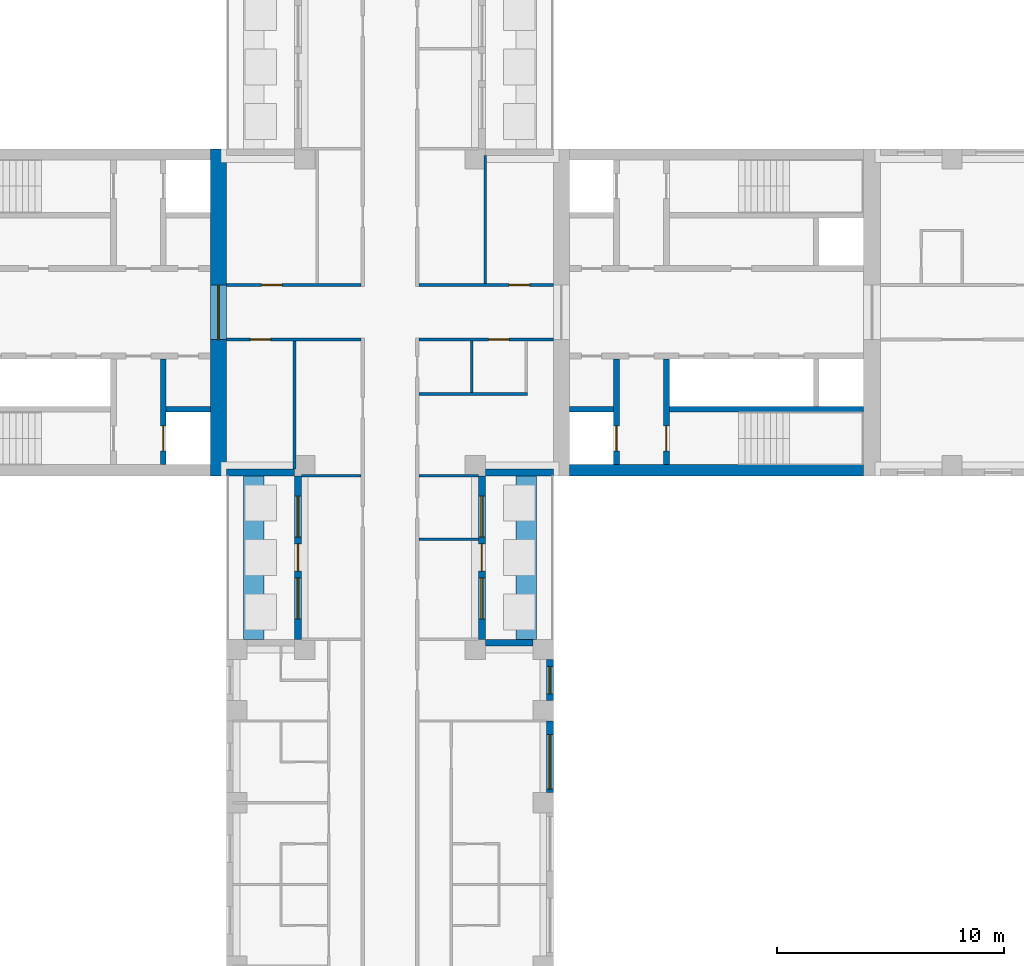
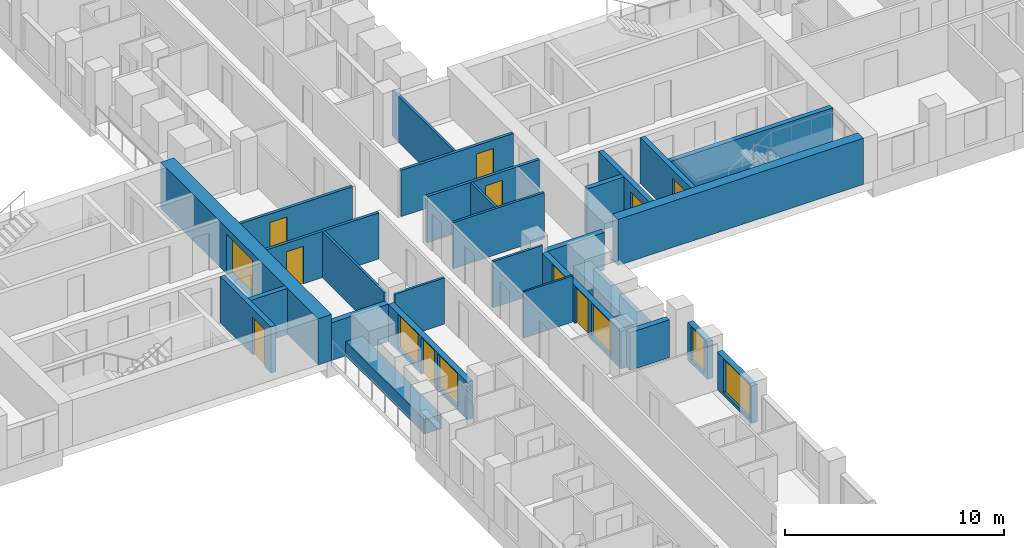
# One storey, part 7 of 15: 28 walls, 10 doors, 6 windows, 16 openings.
"""IFC4 building model written with IfcOpenShell, lengths in metres."""

from ifc_helpers import new_model, si_unit, direction, frame, frame_2d, origin, place, context, subcontext, project, spatial, rectangle, extrude, material, layer, layer_set, type_object, element, fill, save


model = new_model("IFC4")

# Units and contexts
model_context = context("Model", 3, precision=1e-05, world=origin(), true_north=direction((0.0, 1.0)))
body_context = subcontext(model_context, "Body", "Model", "MODEL_VIEW")
ifc_project = project(units=[si_unit("LENGTHUNIT", "METRE"), si_unit("AREAUNIT", "SQUARE_METRE"), si_unit("VOLUMEUNIT", "CUBIC_METRE"), si_unit("PLANEANGLEUNIT", "RADIAN"), si_unit("MASSUNIT", "GRAM", prefix="KILO")], contexts=[model_context])

# Site, building, storey
site_placement = place(None, origin())
site = spatial("IfcSite", under=ifc_project, at=site_placement, CompositionType="ELEMENT")
building_placement = place(site_placement, origin())
building = spatial("IfcBuilding", under=site, at=building_placement, Name="Fustian Cross Tower", CompositionType="ELEMENT")
storey_placement = place(building_placement, frame((0.0, 0.0, 11.699951171875)))
storey = spatial("IfcBuildingStorey", under=building, at=storey_placement, Name="L02", CompositionType="ELEMENT", Elevation=11.699951171875)

# Wall, opening, door
ifc_material_1 = material(Name="Plasterboard on steel stud", Category="steel")
ifc_layer_1 = layer(ifc_material_1, 0.14990234375)
ifc_layer_set_1 = layer_set([ifc_layer_1], Name="Plasterboard on steel stud")
wall_type_1 = type_object("IfcWallType", Name="COMPARTMENT WALL 150 EI 60", PredefinedType="PARTITIONING", material=ifc_layer_set_1)
wall_1_placement = place(storey_placement, frame((-7.199951171875, -1.199951171875, 0.0), z_axis=(0.0, 0.0, 1.0), x_axis=(1.0, 0.0, 0.0)))
wall_1 = element("IfcWall", 1, at=wall_1_placement, inside=storey, type_object=wall_type_1, Name="Partition 8", PredefinedType="PARTITIONING", context=body_context, shape_type="SweptSolid", body=[
    extrude(rectangle(XDim=5.925048828125, YDim=0.14990234375, at=frame_2d((2.96240234375, 0.0))), origin(), (0.0, 0.0, 1.0), 2.574951171875),
])
opening_1_placement = place(wall_1_placement, frame((1.050048828125, 0.0, 0.0)))
opening_1 = element("IfcOpeningElement", 2, at=opening_1_placement, cuts=wall_1, Name="Opening D04009", PredefinedType="OPENING", context=body_context, shape_type="SweptSolid", body=[
    extrude(rectangle(XDim=0.89990234375, YDim=2.10009765625, at=frame_2d((0.449951171875, 1.050048828125))), frame((0.0, 0.0849609375, 0.0), z_axis=(0.0, -1.0, 0.0), x_axis=(1.0, 0.0, 0.0)), (0.0, 0.0, 1.0), 0.169921875),
])
ifc_material_2 = material(Name="Timber fire door set", Category="wood")
door_type_1 = type_object("IfcDoorType", Name="FIRE SWING DOOR 900 FD30S", OperationType="SINGLE_SWING_LEFT", PredefinedType="DOOR", material=ifc_material_2)
door_1_placement = place(opening_1_placement, frame((0.89990234375, 0.0, 0.0), z_axis=(0.0, 0.0, 1.0), x_axis=(-1.0, 0.0, 0.0)))
door_1 = element("IfcDoor", 3, at=door_1_placement, inside=storey, type_object=door_type_1, Name="Door D04009", OperationType="SINGLE_SWING_LEFT", OverallHeight=2.10009765625, OverallWidth=0.89990234375, PredefinedType="DOOR", context=body_context, shape_type="SweptSolid", body=[
    extrude(rectangle(XDim=0.89990234375, YDim=2.10009765625, at=frame_2d((0.449951171875, 1.050048828125))), frame((0.0, 0.02490234375, 0.0), z_axis=(0.0, -1.0, 0.0), x_axis=(1.0, 0.0, 0.0)), (0.0, 0.0, 1.0), 0.050048828125),
])
fill(opening_1, door_1)

wall_2_placement = place(storey_placement, frame((-7.199951171875, 1.199951171875, 0.0), z_axis=(0.0, 0.0, 1.0), x_axis=(1.0, 0.0, 0.0)))
wall_2 = element("IfcWall", 4, at=wall_2_placement, inside=storey, type_object=wall_type_1, Name="Partition 9", PredefinedType="PARTITIONING", context=body_context, shape_type="SweptSolid", body=[
    extrude(rectangle(XDim=5.925048828125, YDim=0.14990234375, at=frame_2d((2.96240234375, 0.0))), origin(), (0.0, 0.0, 1.0), 2.574951171875),
])
opening_2_placement = place(wall_2_placement, frame((1.550048828125, 0.0, 0.0)))
opening_2 = element("IfcOpeningElement", 5, at=opening_2_placement, cuts=wall_2, Name="Opening D04004", PredefinedType="OPENING", context=body_context, shape_type="SweptSolid", body=[
    extrude(rectangle(XDim=0.89990234375, YDim=2.10009765625, at=frame_2d((0.449951171875, 1.050048828125))), frame((0.0, 0.0849609375, 0.0), z_axis=(0.0, -1.0, 0.0), x_axis=(1.0, 0.0, 0.0)), (0.0, 0.0, 1.0), 0.169921875),
])
door_2_placement = place(opening_2_placement, origin())
door_2 = element("IfcDoor", 6, at=door_2_placement, inside=storey, type_object=door_type_1, Name="Door D04004", OperationType="SINGLE_SWING_LEFT", OverallHeight=2.10009765625, OverallWidth=0.89990234375, PredefinedType="DOOR", context=body_context, shape_type="SweptSolid", body=[
    extrude(rectangle(XDim=0.89990234375, YDim=2.10009765625, at=frame_2d((0.449951171875, 1.050048828125))), frame((0.0, 0.02490234375, 0.0), z_axis=(0.0, -1.0, 0.0), x_axis=(1.0, 0.0, 0.0)), (0.0, 0.0, 1.0), 0.050048828125),
])
fill(opening_2, door_2)

wall_3_placement = place(storey_placement, frame((1.27490234375, -1.199951171875, 0.0), z_axis=(0.0, 0.0, 1.0), x_axis=(1.0, 0.0, 0.0)))
wall_3 = element("IfcWall", 7, at=wall_3_placement, inside=storey, type_object=wall_type_1, Name="Partition 63", PredefinedType="PARTITIONING", context=body_context, shape_type="SweptSolid", body=[
    extrude(rectangle(XDim=5.925048828125, YDim=0.14990234375, at=frame_2d((2.96240234375, 0.0))), origin(), (0.0, 0.0, 1.0), 2.574951171875),
])
opening_3_placement = place(wall_3_placement, frame((3.074951171875, 0.0, 0.0)))
opening_3 = element("IfcOpeningElement", 8, at=opening_3_placement, cuts=wall_3, Name="Opening D04006", PredefinedType="OPENING", context=body_context, shape_type="SweptSolid", body=[
    extrude(rectangle(XDim=0.89990234375, YDim=2.10009765625, at=frame_2d((0.449951171875, 1.050048828125))), frame((0.0, 0.0849609375, 0.0), z_axis=(0.0, -1.0, 0.0), x_axis=(1.0, 0.0, 0.0)), (0.0, 0.0, 1.0), 0.169921875),
])
door_3_placement = place(opening_3_placement, frame((0.89990234375, 0.0, 0.0), z_axis=(0.0, 0.0, 1.0), x_axis=(-1.0, 0.0, 0.0)))
door_3 = element("IfcDoor", 9, at=door_3_placement, inside=storey, type_object=door_type_1, Name="Door D04006", OperationType="SINGLE_SWING_RIGHT", OverallHeight=2.10009765625, OverallWidth=0.89990234375, PredefinedType="DOOR", context=body_context, shape_type="SweptSolid", body=[
    extrude(rectangle(XDim=0.89990234375, YDim=2.10009765625, at=frame_2d((0.449951171875, 1.050048828125))), frame((0.0, 0.02490234375, 0.0), z_axis=(0.0, -1.0, 0.0), x_axis=(1.0, 0.0, 0.0)), (0.0, 0.0, 1.0), 0.050048828125),
])
fill(opening_3, door_3)

wall_4_placement = place(storey_placement, frame((1.27490234375, 1.199951171875, 0.0), z_axis=(0.0, 0.0, 1.0), x_axis=(1.0, 0.0, 0.0)))
wall_4 = element("IfcWall", 10, at=wall_4_placement, inside=storey, type_object=wall_type_1, Name="Partition 65", PredefinedType="PARTITIONING", context=body_context, shape_type="SweptSolid", body=[
    extrude(rectangle(XDim=5.925048828125, YDim=0.14990234375, at=frame_2d((2.96240234375, 0.0))), origin(), (0.0, 0.0, 1.0), 2.574951171875),
])
opening_4_placement = place(wall_4_placement, frame((3.97509765625, 0.0, 0.0)))
opening_4 = element("IfcOpeningElement", 11, at=opening_4_placement, cuts=wall_4, Name="Opening D04002", PredefinedType="OPENING", context=body_context, shape_type="SweptSolid", body=[
    extrude(rectangle(XDim=0.89990234375, YDim=2.10009765625, at=frame_2d((0.449951171875, 1.050048828125))), frame((0.0, 0.0849609375, 0.0), z_axis=(0.0, -1.0, 0.0), x_axis=(1.0, 0.0, 0.0)), (0.0, 0.0, 1.0), 0.169921875),
])
door_4_placement = place(opening_4_placement, origin())
door_4 = element("IfcDoor", 12, at=door_4_placement, inside=storey, type_object=door_type_1, Name="Door D04002", OperationType="SINGLE_SWING_RIGHT", OverallHeight=2.10009765625, OverallWidth=0.89990234375, PredefinedType="DOOR", context=body_context, shape_type="SweptSolid", body=[
    extrude(rectangle(XDim=0.89990234375, YDim=2.10009765625, at=frame_2d((0.449951171875, 1.050048828125))), frame((0.0, 0.02490234375, 0.0), z_axis=(0.0, -1.0, 0.0), x_axis=(1.0, 0.0, 0.0)), (0.0, 0.0, 1.0), 0.050048828125),
])
fill(opening_4, door_4)

ifc_material_3 = material(Name="Concrete C80/95", Category="concrete")
ifc_layer_2 = layer(ifc_material_3, 0.699951171875)
ifc_layer_set_2 = layer_set([ifc_layer_2], Name="Concrete C80/95")
wall_type_2 = type_object("IfcWallType", Name="CORE END WALL 700 C80/95", PredefinedType="SHEAR", material=ifc_layer_set_2)
wall_5_placement = place(storey_placement, frame((-7.550048828125, -7.199951171875, 0.0), z_axis=(0.0, 0.0, 1.0), x_axis=(0.0, 1.0, 0.0)))
wall_5 = element("IfcWall", 13, at=wall_5_placement, inside=storey, type_object=wall_type_2, Name="Core end wall", PredefinedType="SHEAR", context=body_context, shape_type="SweptSolid", body=[
    extrude(rectangle(XDim=14.39990234375, YDim=0.699951171875, at=frame_2d((7.199951171875, 0.0))), origin(), (0.0, 0.0, 1.0), 2.574951171875),
])
opening_5_placement = place(wall_5_placement, frame((6.0, 0.0, 0.0)))
opening_5 = element("IfcOpeningElement", 14, at=opening_5_placement, cuts=wall_5, Name="Opening CD-04-26", PredefinedType="OPENING", context=body_context, shape_type="SweptSolid", body=[
    extrude(rectangle(XDim=2.39990234375, YDim=2.199951171875, at=frame_2d((1.199951171875, 1.10009765625))), frame((0.0, 0.35986328125, 0.0), z_axis=(0.0, -1.0, 0.0), x_axis=(1.0, 0.0, 0.0)), (0.0, 0.0, 1.0), 0.719970703125),
])
ifc_material_4 = material(Name="Steel", Category="steel")
door_type_2 = type_object("IfcDoorType", Name="FIRE DOOR FD30S DOUBLE 2400X2200", OperationType="DOUBLE_DOOR_DOUBLE_SWING", PredefinedType="DOOR", material=ifc_material_4)
door_5_placement = place(opening_5_placement, origin())
door_5 = element("IfcDoor", 15, at=door_5_placement, inside=storey, type_object=door_type_2, Name="Core door CD-04-26", OperationType="DOUBLE_DOOR_DOUBLE_SWING", OverallHeight=2.199951171875, OverallWidth=2.39990234375, PredefinedType="DOOR", context=body_context, shape_type="SweptSolid", body=[
    extrude(rectangle(XDim=2.39990234375, YDim=2.199951171875, at=frame_2d((1.199951171875, 1.10009765625))), frame((0.0, 0.02490234375, 0.0), z_axis=(0.0, -1.0, 0.0), x_axis=(1.0, 0.0, 0.0)), (0.0, 0.0, 1.0), 0.050048828125),
])
fill(opening_5, door_5)

# Walls
ifc_material_5 = material(Name="Concrete C80/95", Category="concrete")
ifc_layer_3 = layer(ifc_material_5, 0.5)
ifc_layer_set_3 = layer_set([ifc_layer_3], Name="Concrete C80/95")
wall_type_3 = type_object("IfcWallType", Name="CORE FACADE WALL 500 C80/95", PredefinedType="SHEAR", material=ifc_layer_set_3)
wall_6_placement = place(storey_placement, frame((7.89990234375, -6.949951171875, 0.0), z_axis=(0.0, 0.0, 1.0), x_axis=(1.0, 0.0, 0.0)))
element("IfcWall", 16, at=wall_6_placement, inside=storey, type_object=wall_type_3, Name="Core facade wall", PredefinedType="SHEAR", context=body_context, shape_type="SweptSolid", body=[
    extrude(rectangle(XDim=12.9501953125, YDim=0.5, at=frame_2d((6.47509765625, 0.0))), origin(), (0.0, 0.0, 1.0), 2.574951171875),
])
ifc_material_6 = material(Name="Concrete C50/60", Category="concrete")
ifc_layer_4 = layer(ifc_material_6, 0.25)
ifc_layer_set_4 = layer_set([ifc_layer_4], Name="Concrete C50/60")
wall_type_4 = type_object("IfcWallType", Name="CORE SHAFT WALL 250 C50/60", PredefinedType="SHEAR", material=ifc_layer_set_4)
wall_7_placement = place(storey_placement, frame((7.89990234375, -4.27490234375, 0.0), z_axis=(0.0, 0.0, 1.0), x_axis=(1.0, 0.0, 0.0)))
element("IfcWall", 17, at=wall_7_placement, inside=storey, type_object=wall_type_4, Name="Core shaft wall", PredefinedType="SHEAR", context=body_context, shape_type="SweptSolid", body=[
    extrude(rectangle(XDim=1.9501953125, YDim=0.25, at=frame_2d((0.97509765625, 0.0))), origin(), (0.0, 0.0, 1.0), 2.574951171875),
])
wall_8_placement = place(storey_placement, frame((12.300048828125, -4.27490234375, 0.0), z_axis=(0.0, 0.0, 1.0), x_axis=(1.0, 0.0, 0.0)))
element("IfcWall", 18, at=wall_8_placement, inside=storey, type_object=wall_type_4, Name="Core shaft wall", PredefinedType="SHEAR", context=body_context, shape_type="SweptSolid", body=[
    extrude(rectangle(XDim=8.550048828125, YDim=0.25, at=frame_2d((4.27490234375, 0.0))), origin(), (0.0, 0.0, 1.0), 2.574951171875),
])

# Wall, opening, door
wall_9_placement = place(storey_placement, frame((9.97509765625, -2.050048828125, 0.0), z_axis=(0.0, 0.0, 1.0), x_axis=(0.0, -1.0, 0.0)))
wall_9 = element("IfcWall", 19, at=wall_9_placement, inside=storey, type_object=wall_type_4, Name="Core shaft wall", PredefinedType="SHEAR", context=body_context, shape_type="SweptSolid", body=[
    extrude(rectangle(XDim=4.64990234375, YDim=0.25, at=frame_2d((2.324951171875, 0.0))), origin(), (0.0, 0.0, 1.0), 2.574951171875),
])
opening_6_placement = place(wall_9_placement, frame((2.949951171875, 0.0, 0.0)))
opening_6 = element("IfcOpeningElement", 20, at=opening_6_placement, cuts=wall_9, Name="Opening LD", PredefinedType="OPENING", context=body_context, shape_type="SweptSolid", body=[
    extrude(rectangle(XDim=1.10009765625, YDim=2.10009765625, at=frame_2d((0.550048828125, 1.050048828125))), frame((0.0, 0.135009765625, 0.0), z_axis=(0.0, -1.0, 0.0), x_axis=(1.0, 0.0, 0.0)), (0.0, 0.0, 1.0), 0.27001953125),
])
ifc_material_7 = material(Name="Stainless steel", Category="steel")
door_type_3 = type_object("IfcDoorType", Name="LIFT LANDING DOOR 1100X2100", OperationType="SLIDING_TO_LEFT", PredefinedType="DOOR", material=ifc_material_7)
door_6_placement = place(opening_6_placement, origin())
door_6 = element("IfcDoor", 21, at=door_6_placement, inside=storey, type_object=door_type_3, Name="Landing door SV1", OperationType="SLIDING_TO_LEFT", OverallHeight=2.10009765625, OverallWidth=1.10009765625, PredefinedType="DOOR", context=body_context, shape_type="SweptSolid", body=[
    extrude(rectangle(XDim=1.10009765625, YDim=2.10009765625, at=frame_2d((0.550048828125, 1.050048828125))), frame((0.0, 0.02490234375, 0.0), z_axis=(0.0, -1.0, 0.0), x_axis=(1.0, 0.0, 0.0)), (0.0, 0.0, 1.0), 0.050048828125),
])
fill(opening_6, door_6)

wall_10_placement = place(storey_placement, frame((12.175048828125, -2.050048828125, 0.0), z_axis=(0.0, 0.0, 1.0), x_axis=(0.0, -1.0, 0.0)))
wall_10 = element("IfcWall", 22, at=wall_10_placement, inside=storey, type_object=wall_type_4, Name="Core shaft wall", PredefinedType="SHEAR", context=body_context, shape_type="SweptSolid", body=[
    extrude(rectangle(XDim=4.64990234375, YDim=0.25, at=frame_2d((2.324951171875, 0.0))), origin(), (0.0, 0.0, 1.0), 2.574951171875),
])
opening_7_placement = place(wall_10_placement, frame((2.949951171875, 0.0, 0.0)))
opening_7 = element("IfcOpeningElement", 23, at=opening_7_placement, cuts=wall_10, Name="Opening CD-04-07", PredefinedType="OPENING", context=body_context, shape_type="SweptSolid", body=[
    extrude(rectangle(XDim=1.10009765625, YDim=2.10009765625, at=frame_2d((0.550048828125, 1.050048828125))), frame((0.0, 0.135009765625, 0.0), z_axis=(0.0, -1.0, 0.0), x_axis=(1.0, 0.0, 0.0)), (0.0, 0.0, 1.0), 0.27001953125),
])
ifc_material_8 = material(Name="Steel", Category="steel")
door_type_4 = type_object("IfcDoorType", Name="FIRE DOOR FD60S 1100X2100", OperationType="SINGLE_SWING_LEFT", PredefinedType="DOOR", material=ifc_material_8)
door_7_placement = place(opening_7_placement, origin())
door_7 = element("IfcDoor", 24, at=door_7_placement, inside=storey, type_object=door_type_4, Name="Core door CD-04-07", OperationType="SINGLE_SWING_LEFT", OverallHeight=2.10009765625, OverallWidth=1.10009765625, PredefinedType="DOOR", context=body_context, shape_type="SweptSolid", body=[
    extrude(rectangle(XDim=1.10009765625, YDim=2.10009765625, at=frame_2d((0.550048828125, 1.050048828125))), frame((0.0, 0.02490234375, 0.0), z_axis=(0.0, -1.0, 0.0), x_axis=(1.0, 0.0, 0.0)), (0.0, 0.0, 1.0), 0.050048828125),
])
fill(opening_7, door_7)

# Wall
wall_11_placement = place(storey_placement, frame((-7.89990234375, -4.27490234375, 0.0), z_axis=(0.0, 0.0, 1.0), x_axis=(-1.0, 0.0, 0.0)))
element("IfcWall", 25, at=wall_11_placement, inside=storey, type_object=wall_type_4, Name="Core shaft wall", PredefinedType="SHEAR", context=body_context, shape_type="SweptSolid", body=[
    extrude(rectangle(XDim=1.9501953125, YDim=0.25, at=frame_2d((0.97509765625, 0.0))), origin(), (0.0, 0.0, 1.0), 2.574951171875),
])

# Wall, opening, door
wall_12_placement = place(storey_placement, frame((-9.97509765625, -2.050048828125, 0.0), z_axis=(0.0, 0.0, 1.0), x_axis=(0.0, -1.0, 0.0)))
wall_12 = element("IfcWall", 26, at=wall_12_placement, inside=storey, type_object=wall_type_4, Name="Core shaft wall", PredefinedType="SHEAR", context=body_context, shape_type="SweptSolid", body=[
    extrude(rectangle(XDim=4.64990234375, YDim=0.25, at=frame_2d((2.324951171875, 0.0))), origin(), (0.0, 0.0, 1.0), 2.574951171875),
])
opening_8_placement = place(wall_12_placement, frame((2.949951171875, 0.0, 0.0)))
opening_8 = element("IfcOpeningElement", 27, at=opening_8_placement, cuts=wall_12, Name="Opening LD", PredefinedType="OPENING", context=body_context, shape_type="SweptSolid", body=[
    extrude(rectangle(XDim=1.10009765625, YDim=2.10009765625, at=frame_2d((0.550048828125, 1.050048828125))), frame((0.0, 0.135009765625, 0.0), z_axis=(0.0, -1.0, 0.0), x_axis=(1.0, 0.0, 0.0)), (0.0, 0.0, 1.0), 0.27001953125),
])
door_8_placement = place(opening_8_placement, origin())
door_8 = element("IfcDoor", 28, at=door_8_placement, inside=storey, type_object=door_type_3, Name="Landing door SV1W", OperationType="SLIDING_TO_LEFT", OverallHeight=2.10009765625, OverallWidth=1.10009765625, PredefinedType="DOOR", context=body_context, shape_type="SweptSolid", body=[
    extrude(rectangle(XDim=1.10009765625, YDim=2.10009765625, at=frame_2d((0.550048828125, 1.050048828125))), frame((0.0, 0.02490234375, 0.0), z_axis=(0.0, -1.0, 0.0), x_axis=(1.0, 0.0, 0.0)), (0.0, 0.0, 1.0), 0.050048828125),
])
fill(opening_8, door_8)

# Walls
ifc_material_9 = material(Name="Plasterboard on steel stud", Category="steel")
ifc_layer_5 = layer(ifc_material_9, 0.10009765625)
ifc_layer_set_5 = layer_set([ifc_layer_5], Name="Plasterboard on steel stud")
wall_type_5 = type_object("IfcWallType", Name="PARTITION 100 STUD", PredefinedType="PARTITIONING", material=ifc_layer_set_5)
wall_13_placement = place(storey_placement, frame((1.27490234375, -10.0, 0.0), z_axis=(0.0, 0.0, 1.0), x_axis=(1.0, 0.0, 0.0)))
element("IfcWall", 29, at=wall_13_placement, inside=storey, type_object=wall_type_5, Name="Partition 60", PredefinedType="PARTITIONING", context=body_context, shape_type="SweptSolid", body=[
    extrude(rectangle(XDim=2.625, YDim=0.10009765625, at=frame_2d((1.3125, 0.0))), origin(), (0.0, 0.0, 1.0), 2.574951171875),
])
ifc_material_10 = material(Name="Concrete C40/50", Category="concrete")
ifc_layer_6 = layer(ifc_material_10, 0.89990234375)
ifc_layer_set_6 = layer_set([ifc_layer_6], Name="Concrete C40/50")
wall_type_6 = type_object("IfcWallType", Name="PK1 PLANTER 900", PredefinedType="PARAPET", material=ifc_layer_set_6)
for number, where, z_axis, x_axis, name in (
    (30, (6.0, -14.39990234375, 0.0), (0.0, 0.0, 1.0), (0.0, 1.0, 0.0), "PLANTER"),
    (31, (-6.0, -14.39990234375, 0.0), (0.0, 0.0, 1.0), (0.0, 1.0, 0.0), "PLANTER"),
):
    element("IfcWall", number, at=place(storey_placement, frame(where, z_axis=z_axis, x_axis=x_axis)), inside=storey, type_object=wall_type_6, Name=name, PredefinedType="PARAPET", context=body_context, shape_type="SweptSolid", body=[
        extrude(rectangle(XDim=7.199951171875, YDim=0.89990234375, at=frame_2d((3.60009765625, 0.0))), origin(), (0.0, 0.0, 1.0), 0.800048828125),
    ])
ifc_material_11 = material(Name="Plasterboard on steel stud", Category="steel")
ifc_layer_7 = layer(ifc_material_11, 0.125)
ifc_layer_set_7 = layer_set([ifc_layer_7], Name="Plasterboard on steel stud")
wall_type_7 = type_object("IfcWallType", Name="WET WALL 125 STUD", PredefinedType="PARTITIONING", material=ifc_layer_set_7)
wall_14_placement = place(storey_placement, frame((-4.199951171875, -6.89990234375, 0.0), z_axis=(0.0, 0.0, 1.0), x_axis=(0.0, 1.0, 0.0)))
element("IfcWall", 32, at=wall_14_placement, inside=storey, type_object=wall_type_7, Name="Partition 44", PredefinedType="PARTITIONING", context=body_context, shape_type="SweptSolid", body=[
    extrude(rectangle(XDim=5.625, YDim=0.125, at=frame_2d((2.8125, 0.0))), origin(), (0.0, 0.0, 1.0), 2.574951171875),
])
for number, where, z_axis, x_axis, name in (
    (33, (-3.89990234375, -7.199951171875, 0.0), (0.0, 0.0, 1.0), (1.0, 0.0, 0.0), "Partition 46"),
    (34, (1.27490234375, -7.199951171875, 0.0), (0.0, 0.0, 1.0), (1.0, 0.0, 0.0), "Partition 61"),
):
    element("IfcWall", number, at=place(storey_placement, frame(where, z_axis=z_axis, x_axis=x_axis)), inside=storey, type_object=wall_type_7, Name=name, PredefinedType="PARTITIONING", context=body_context, shape_type="SweptSolid", body=[
        extrude(rectangle(XDim=2.625, YDim=0.125, at=frame_2d((1.3125, 0.0))), origin(), (0.0, 0.0, 1.0), 2.574951171875),
    ])
wall_15_placement = place(storey_placement, frame((1.27490234375, -3.60009765625, 0.0), z_axis=(0.0, 0.0, 1.0), x_axis=(1.0, 0.0, 0.0)))
element("IfcWall", 35, at=wall_15_placement, inside=storey, type_object=wall_type_7, Name="Partition 62", PredefinedType="PARTITIONING", context=body_context, shape_type="SweptSolid", body=[
    extrude(rectangle(XDim=4.78759765625, YDim=0.125, at=frame_2d((2.393798828125, 0.0))), origin(), (0.0, 0.0, 1.0), 2.574951171875),
])
wall_16_placement = place(storey_placement, frame((3.60009765625, -3.53759765625, 0.0), z_axis=(0.0, 0.0, 1.0), x_axis=(0.0, 1.0, 0.0)))
element("IfcWall", 36, at=wall_16_placement, inside=storey, type_object=wall_type_7, Name="Partition 85", PredefinedType="PARTITIONING", context=body_context, shape_type="SweptSolid", body=[
    extrude(rectangle(XDim=2.2626953125, YDim=0.125, at=frame_2d((1.13134765625, 0.0))), origin(), (0.0, 0.0, 1.0), 2.574951171875),
])
wall_17_placement = place(storey_placement, frame((4.199951171875, 1.27490234375, 0.0), z_axis=(0.0, 0.0, 1.0), x_axis=(0.0, 1.0, 0.0)))
element("IfcWall", 37, at=wall_17_placement, inside=storey, type_object=wall_type_7, Name="Partition 86", PredefinedType="PARTITIONING", context=body_context, shape_type="SweptSolid", body=[
    extrude(rectangle(XDim=5.625, YDim=0.125, at=frame_2d((2.8125, 0.0))), origin(), (0.0, 0.0, 1.0), 2.574951171875),
])
ifc_material_12 = material(Name="Dark aluminium cladding on insulated backing wall", Category="aluminium")
ifc_layer_8 = layer(ifc_material_12, 0.300048828125)
ifc_layer_set_8 = layer_set([ifc_layer_8], Name="Dark aluminium cladding on insulated backing wall")
wall_type_8 = type_object("IfcWallType", Name="XW1 EXTERNAL WALL 300", PredefinedType="SOLIDWALL", material=ifc_layer_set_8)
wall_18_placement = place(storey_placement, frame((-7.199951171875, -7.050048828125, 0.0), z_axis=(0.0, 0.0, 1.0), x_axis=(1.0, 0.0, 0.0)))
element("IfcWall", 38, at=wall_18_placement, inside=storey, type_object=wall_type_8, Name="External wall", PredefinedType="SOLIDWALL", context=body_context, shape_type="SweptSolid", body=[
    extrude(rectangle(XDim=3.0, YDim=0.300048828125, at=frame_2d((1.5, 0.0))), origin(), (0.0, 0.0, 1.0), 2.10009765625),
])

# Wall, openings, door, windows
wall_19_placement = place(storey_placement, frame((-4.050048828125, -7.199951171875, 0.0), z_axis=(0.0, 0.0, 1.0), x_axis=(0.0, -1.0, 0.0)))
wall_19 = element("IfcWall", 39, at=wall_19_placement, inside=storey, type_object=wall_type_8, Name="External wall", PredefinedType="SOLIDWALL", context=body_context, shape_type="SweptSolid", body=[
    extrude(rectangle(XDim=7.199951171875, YDim=0.300048828125, at=frame_2d((3.60009765625, 0.0))), origin(), (0.0, 0.0, 1.0), 2.10009765625),
])
opening_9_placement = place(wall_19_placement, frame((3.0, 0.0, 0.0)))
opening_9 = element("IfcOpeningElement", 40, at=opening_9_placement, cuts=wall_19, Name="Opening XD4", PredefinedType="OPENING", context=body_context, shape_type="SweptSolid", body=[
    extrude(rectangle(XDim=1.199951171875, YDim=2.050048828125, at=frame_2d((0.60009765625, 1.02490234375))), frame((0.0, 0.159912109375, 0.0), z_axis=(0.0, -1.0, 0.0), x_axis=(1.0, 0.0, 0.0)), (0.0, 0.0, 1.0), 0.320068359375),
])
opening_10_placement = place(wall_19_placement, frame((0.89990234375, 0.0, 0.199951171875)))
opening_10 = element("IfcOpeningElement", 41, at=opening_10_placement, cuts=wall_19, Name="Opening WN2", PredefinedType="OPENING", context=body_context, shape_type="SweptSolid", body=[
    extrude(rectangle(XDim=1.800048828125, YDim=1.85009765625, at=frame_2d((0.89990234375, 0.925048828125))), frame((0.0, 0.159912109375, 0.0), z_axis=(0.0, -1.0, 0.0), x_axis=(1.0, 0.0, 0.0)), (0.0, 0.0, 1.0), 0.320068359375),
])
opening_11_placement = place(wall_19_placement, frame((4.5, 0.0, 0.199951171875)))
opening_11 = element("IfcOpeningElement", 42, at=opening_11_placement, cuts=wall_19, Name="Opening WN2", PredefinedType="OPENING", context=body_context, shape_type="SweptSolid", body=[
    extrude(rectangle(XDim=1.800048828125, YDim=1.85009765625, at=frame_2d((0.89990234375, 0.925048828125))), frame((0.0, 0.159912109375, 0.0), z_axis=(0.0, -1.0, 0.0), x_axis=(1.0, 0.0, 0.0)), (0.0, 0.0, 1.0), 0.320068359375),
])
ifc_material_13 = material(Name="Dark anodised aluminium and double glazing", Category="aluminium")
door_type_5 = type_object("IfcDoorType", Name="ED1 BALCONY DOOR 1200X2050", OperationType="SINGLE_SWING_LEFT", PredefinedType="DOOR", material=ifc_material_13)
door_9_placement = place(opening_9_placement, origin())
door_9 = element("IfcDoor", 43, at=door_9_placement, inside=storey, type_object=door_type_5, Name="Balcony door", OperationType="SINGLE_SWING_LEFT", OverallHeight=2.050048828125, OverallWidth=1.199951171875, PredefinedType="DOOR", context=body_context, shape_type="SweptSolid", body=[
    extrude(rectangle(XDim=1.199951171875, YDim=2.050048828125, at=frame_2d((0.60009765625, 1.02490234375))), frame((0.0, 0.02490234375, 0.0), z_axis=(0.0, -1.0, 0.0), x_axis=(1.0, 0.0, 0.0)), (0.0, 0.0, 1.0), 0.050048828125),
])
fill(opening_9, door_9)
ifc_material_14 = material(Name="Dark anodised aluminium and double glazing", Category="aluminium")
window_type_1 = type_object("IfcWindowType", Name="WN2 WINDOW 1800X1850", PartitioningType="SINGLE_PANEL", PredefinedType="WINDOW", material=ifc_material_14)
window_1_placement = place(opening_10_placement, origin())
window_1 = element("IfcWindow", 44, at=window_1_placement, inside=storey, type_object=window_type_1, Name="Window", OverallHeight=1.85009765625, OverallWidth=1.800048828125, PartitioningType="SINGLE_PANEL", PredefinedType="WINDOW", context=body_context, shape_type="SweptSolid", body=[
    extrude(rectangle(XDim=1.800048828125, YDim=1.85009765625, at=frame_2d((0.89990234375, 0.925048828125))), frame((0.0, 0.030029296875, 0.0), z_axis=(0.0, -1.0, 0.0), x_axis=(1.0, 0.0, 0.0)), (0.0, 0.0, 1.0), 0.06005859375),
])
fill(opening_10, window_1)
window_2_placement = place(opening_11_placement, origin())
window_2 = element("IfcWindow", 45, at=window_2_placement, inside=storey, type_object=window_type_1, Name="Window", OverallHeight=1.85009765625, OverallWidth=1.800048828125, PartitioningType="SINGLE_PANEL", PredefinedType="WINDOW", context=body_context, shape_type="SweptSolid", body=[
    extrude(rectangle(XDim=1.800048828125, YDim=1.85009765625, at=frame_2d((0.89990234375, 0.925048828125))), frame((0.0, 0.030029296875, 0.0), z_axis=(0.0, -1.0, 0.0), x_axis=(1.0, 0.0, 0.0)), (0.0, 0.0, 1.0), 0.06005859375),
])
fill(opening_11, window_2)

# Wall, opening, window
wall_20_placement = place(storey_placement, frame((7.050048828125, -21.14990234375, 0.0), z_axis=(0.0, 0.0, 1.0), x_axis=(0.0, 1.0, 0.0)))
wall_20 = element("IfcWall", 46, at=wall_20_placement, inside=storey, type_object=wall_type_8, Name="External wall", PredefinedType="SOLIDWALL", context=body_context, shape_type="SweptSolid", body=[
    extrude(rectangle(XDim=3.14990234375, YDim=0.300048828125, at=frame_2d((1.574951171875, 0.0))), origin(), (0.0, 0.0, 1.0), 2.10009765625),
])
opening_12_placement = place(wall_20_placement, frame((0.14990234375, 0.0, 0.199951171875)))
opening_12 = element("IfcOpeningElement", 47, at=opening_12_placement, cuts=wall_20, Name="Opening WN1", PredefinedType="OPENING", context=body_context, shape_type="SweptSolid", body=[
    extrude(rectangle(XDim=2.39990234375, YDim=1.85009765625, at=frame_2d((1.199951171875, 0.925048828125))), frame((0.0, 0.159912109375, 0.0), z_axis=(0.0, -1.0, 0.0), x_axis=(1.0, 0.0, 0.0)), (0.0, 0.0, 1.0), 0.320068359375),
])
ifc_material_15 = material(Name="Dark anodised aluminium and double glazing", Category="aluminium")
window_type_2 = type_object("IfcWindowType", Name="WN1 WINDOW 2400X1850", PartitioningType="SINGLE_PANEL", PredefinedType="WINDOW", material=ifc_material_15)
window_3_placement = place(opening_12_placement, origin())
window_3 = element("IfcWindow", 48, at=window_3_placement, inside=storey, type_object=window_type_2, Name="Window", OverallHeight=1.85009765625, OverallWidth=2.39990234375, PartitioningType="SINGLE_PANEL", PredefinedType="WINDOW", context=body_context, shape_type="SweptSolid", body=[
    extrude(rectangle(XDim=2.39990234375, YDim=1.85009765625, at=frame_2d((1.199951171875, 0.925048828125))), frame((0.0, 0.030029296875, 0.0), z_axis=(0.0, -1.0, 0.0), x_axis=(1.0, 0.0, 0.0)), (0.0, 0.0, 1.0), 0.06005859375),
])
fill(opening_12, window_3)

wall_21_placement = place(storey_placement, frame((7.050048828125, -17.10009765625, 0.0), z_axis=(0.0, 0.0, 1.0), x_axis=(0.0, 1.0, 0.0)))
wall_21 = element("IfcWall", 49, at=wall_21_placement, inside=storey, type_object=wall_type_8, Name="External wall", PredefinedType="SOLIDWALL", context=body_context, shape_type="SweptSolid", body=[
    extrude(rectangle(XDim=1.800048828125, YDim=0.300048828125, at=frame_2d((0.89990234375, 0.0))), origin(), (0.0, 0.0, 1.0), 2.10009765625),
])
opening_13_placement = place(wall_21_placement, frame((0.300048828125, 0.0, 0.199951171875)))
opening_13 = element("IfcOpeningElement", 50, at=opening_13_placement, cuts=wall_21, Name="Opening WN3", PredefinedType="OPENING", context=body_context, shape_type="SweptSolid", body=[
    extrude(rectangle(XDim=1.199951171875, YDim=1.85009765625, at=frame_2d((0.60009765625, 0.925048828125))), frame((0.0, 0.159912109375, 0.0), z_axis=(0.0, -1.0, 0.0), x_axis=(1.0, 0.0, 0.0)), (0.0, 0.0, 1.0), 0.320068359375),
])
ifc_material_16 = material(Name="Dark anodised aluminium and double glazing", Category="aluminium")
window_type_3 = type_object("IfcWindowType", Name="WN3 WINDOW 1200X1850", PartitioningType="SINGLE_PANEL", PredefinedType="WINDOW", material=ifc_material_16)
window_4_placement = place(opening_13_placement, origin())
window_4 = element("IfcWindow", 51, at=window_4_placement, inside=storey, type_object=window_type_3, Name="Window", OverallHeight=1.85009765625, OverallWidth=1.199951171875, PartitioningType="SINGLE_PANEL", PredefinedType="WINDOW", context=body_context, shape_type="SweptSolid", body=[
    extrude(rectangle(XDim=1.199951171875, YDim=1.85009765625, at=frame_2d((0.60009765625, 0.925048828125))), frame((0.0, 0.030029296875, 0.0), z_axis=(0.0, -1.0, 0.0), x_axis=(1.0, 0.0, 0.0)), (0.0, 0.0, 1.0), 0.06005859375),
])
fill(opening_13, window_4)

# Wall
wall_22_placement = place(storey_placement, frame((6.300048828125, -14.550048828125, 0.0), z_axis=(0.0, 0.0, 1.0), x_axis=(-1.0, 0.0, 0.0)))
element("IfcWall", 52, at=wall_22_placement, inside=storey, type_object=wall_type_8, Name="External wall", PredefinedType="SOLIDWALL", context=body_context, shape_type="SweptSolid", body=[
    extrude(rectangle(XDim=2.10009765625, YDim=0.300048828125, at=frame_2d((1.050048828125, 0.0))), origin(), (0.0, 0.0, 1.0), 2.10009765625),
])

# Wall, openings, door, windows
wall_23_placement = place(storey_placement, frame((4.050048828125, -14.39990234375, 0.0), z_axis=(0.0, 0.0, 1.0), x_axis=(0.0, 1.0, 0.0)))
wall_23 = element("IfcWall", 53, at=wall_23_placement, inside=storey, type_object=wall_type_8, Name="External wall", PredefinedType="SOLIDWALL", context=body_context, shape_type="SweptSolid", body=[
    extrude(rectangle(XDim=7.199951171875, YDim=0.300048828125, at=frame_2d((3.60009765625, 0.0))), origin(), (0.0, 0.0, 1.0), 2.10009765625),
])
opening_14_placement = place(wall_23_placement, frame((3.0, 0.0, 0.0)))
opening_14 = element("IfcOpeningElement", 54, at=opening_14_placement, cuts=wall_23, Name="Opening XD3", PredefinedType="OPENING", context=body_context, shape_type="SweptSolid", body=[
    extrude(rectangle(XDim=1.199951171875, YDim=2.050048828125, at=frame_2d((0.60009765625, 1.02490234375))), frame((0.0, 0.159912109375, 0.0), z_axis=(0.0, -1.0, 0.0), x_axis=(1.0, 0.0, 0.0)), (0.0, 0.0, 1.0), 0.320068359375),
])
opening_15_placement = place(wall_23_placement, frame((0.89990234375, 0.0, 0.199951171875)))
opening_15 = element("IfcOpeningElement", 55, at=opening_15_placement, cuts=wall_23, Name="Opening WN2", PredefinedType="OPENING", context=body_context, shape_type="SweptSolid", body=[
    extrude(rectangle(XDim=1.800048828125, YDim=1.85009765625, at=frame_2d((0.89990234375, 0.925048828125))), frame((0.0, 0.159912109375, 0.0), z_axis=(0.0, -1.0, 0.0), x_axis=(1.0, 0.0, 0.0)), (0.0, 0.0, 1.0), 0.320068359375),
])
opening_16_placement = place(wall_23_placement, frame((4.5, 0.0, 0.199951171875)))
opening_16 = element("IfcOpeningElement", 56, at=opening_16_placement, cuts=wall_23, Name="Opening WN2", PredefinedType="OPENING", context=body_context, shape_type="SweptSolid", body=[
    extrude(rectangle(XDim=1.800048828125, YDim=1.85009765625, at=frame_2d((0.89990234375, 0.925048828125))), frame((0.0, 0.159912109375, 0.0), z_axis=(0.0, -1.0, 0.0), x_axis=(1.0, 0.0, 0.0)), (0.0, 0.0, 1.0), 0.320068359375),
])
door_10_placement = place(opening_14_placement, origin())
door_10 = element("IfcDoor", 57, at=door_10_placement, inside=storey, type_object=door_type_5, Name="Balcony door", OperationType="SINGLE_SWING_LEFT", OverallHeight=2.050048828125, OverallWidth=1.199951171875, PredefinedType="DOOR", context=body_context, shape_type="SweptSolid", body=[
    extrude(rectangle(XDim=1.199951171875, YDim=2.050048828125, at=frame_2d((0.60009765625, 1.02490234375))), frame((0.0, 0.02490234375, 0.0), z_axis=(0.0, -1.0, 0.0), x_axis=(1.0, 0.0, 0.0)), (0.0, 0.0, 1.0), 0.050048828125),
])
fill(opening_14, door_10)
window_5_placement = place(opening_15_placement, origin())
window_5 = element("IfcWindow", 58, at=window_5_placement, inside=storey, type_object=window_type_1, Name="Window", OverallHeight=1.85009765625, OverallWidth=1.800048828125, PartitioningType="SINGLE_PANEL", PredefinedType="WINDOW", context=body_context, shape_type="SweptSolid", body=[
    extrude(rectangle(XDim=1.800048828125, YDim=1.85009765625, at=frame_2d((0.89990234375, 0.925048828125))), frame((0.0, 0.030029296875, 0.0), z_axis=(0.0, -1.0, 0.0), x_axis=(1.0, 0.0, 0.0)), (0.0, 0.0, 1.0), 0.06005859375),
])
fill(opening_15, window_5)
window_6_placement = place(opening_16_placement, origin())
window_6 = element("IfcWindow", 59, at=window_6_placement, inside=storey, type_object=window_type_1, Name="Window", OverallHeight=1.85009765625, OverallWidth=1.800048828125, PartitioningType="SINGLE_PANEL", PredefinedType="WINDOW", context=body_context, shape_type="SweptSolid", body=[
    extrude(rectangle(XDim=1.800048828125, YDim=1.85009765625, at=frame_2d((0.89990234375, 0.925048828125))), frame((0.0, 0.030029296875, 0.0), z_axis=(0.0, -1.0, 0.0), x_axis=(1.0, 0.0, 0.0)), (0.0, 0.0, 1.0), 0.06005859375),
])
fill(opening_16, window_6)

# Wall
wall_24_placement = place(storey_placement, frame((4.199951171875, -7.050048828125, 0.0), z_axis=(0.0, 0.0, 1.0), x_axis=(1.0, 0.0, 0.0)))
element("IfcWall", 60, at=wall_24_placement, inside=storey, type_object=wall_type_8, Name="External wall", PredefinedType="SOLIDWALL", context=body_context, shape_type="SweptSolid", body=[
    extrude(rectangle(XDim=3.0, YDim=0.300048828125, at=frame_2d((1.5, 0.0))), origin(), (0.0, 0.0, 1.0), 2.10009765625),
])

save(model, "model.ifc")
